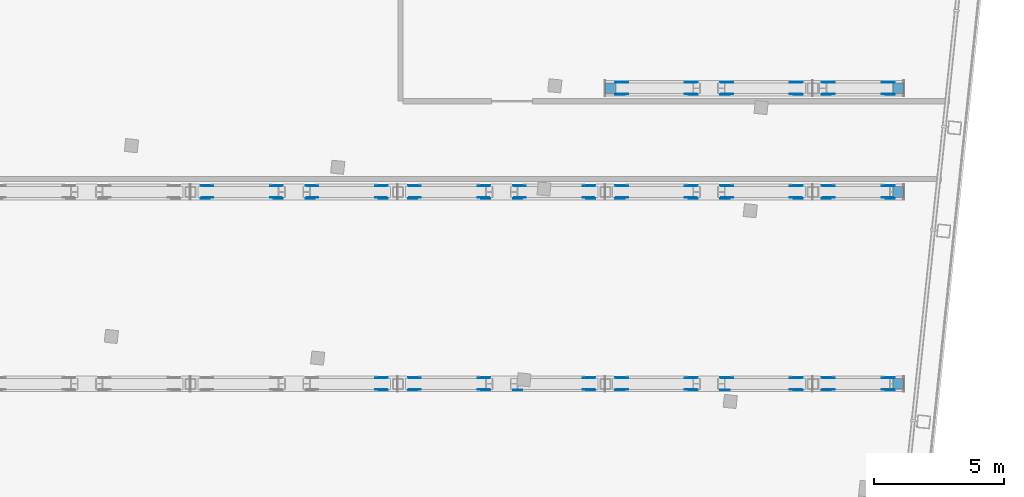
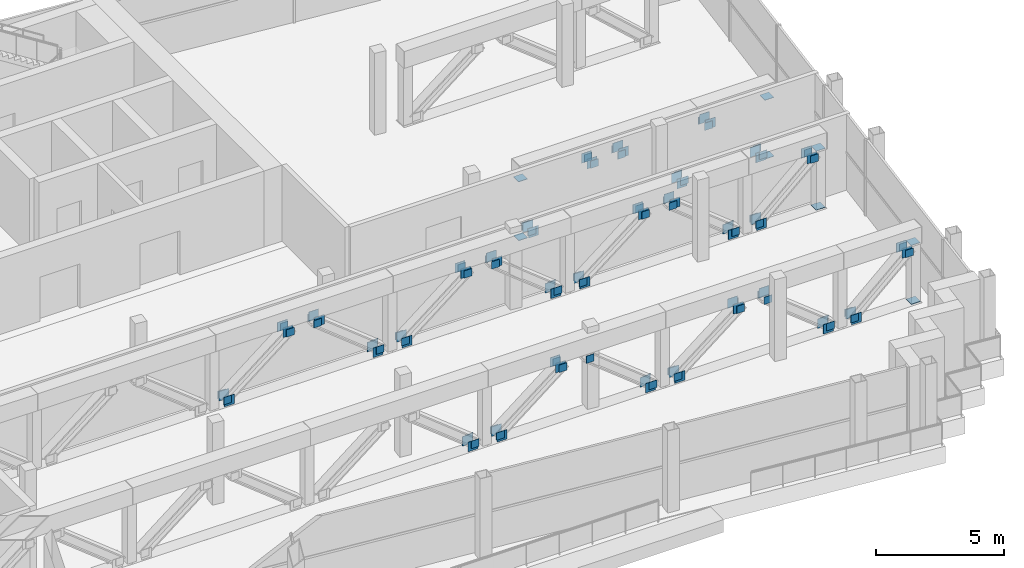
# One storey, part 12 of 18: 128 discrete accessories.
"""IFC4 building model written with IfcOpenShell, lengths in metres."""

from ifc_helpers import new_model, si_unit, direction, frame, origin, origin_2d, place, context, subcontext, project, spatial, rectangle, extrude, element, save


model = new_model("IFC4")

# Units and contexts
model_context = context("Model", 3, precision=1e-05, world=origin(), true_north=direction((0.0, 1.0)))
body_context = subcontext(model_context, "Body", "Model", "MODEL_VIEW")
ifc_project = project(units=[si_unit("LENGTHUNIT", "METRE"), si_unit("AREAUNIT", "SQUARE_METRE"), si_unit("VOLUMEUNIT", "CUBIC_METRE"), si_unit("PLANEANGLEUNIT", "RADIAN"), si_unit("MASSUNIT", "GRAM", prefix="KILO")], contexts=[model_context])

# Site, building, storey
site_placement = place(None, origin())
site = spatial("IfcSite", under=ifc_project, at=site_placement, CompositionType="ELEMENT")
building_placement = place(site_placement, origin())
building = spatial("IfcBuilding", under=site, at=building_placement, Name="Vidyagriha Tower", CompositionType="ELEMENT")
storey_placement = place(building_placement, frame((0.0, 0.0, 249.199951171875)))
storey = spatial("IfcBuildingStorey", under=building, at=storey_placement, Name="L64", CompositionType="ELEMENT", Elevation=249.199951171875)

# Discrete accessories
for number, where, name in (
    (1, (9.345947265625, -9.17822265625, 0.0), "Truss gusset plate ASTM A572 Grade 50 20mm"),
    (2, (9.345947265625, -9.621826171875, 0.0), "Truss gusset plate ASTM A572 Grade 50 20mm"),
    (3, (10.654052734375, -9.17822265625, 0.0), "Truss gusset plate ASTM A572 Grade 50 20mm"),
    (4, (10.654052734375, -9.621826171875, 0.0), "Truss gusset plate ASTM A572 Grade 50 20mm"),
    (5, (13.2958984375, -9.17822265625, 2.3701171875), "Truss gusset plate ASTM A572 Grade 50 20mm"),
    (6, (13.2958984375, -9.621826171875, 2.3701171875), "Truss gusset plate ASTM A572 Grade 50 20mm"),
    (7, (17.345947265625, -9.17822265625, 0.0), "Truss gusset plate ASTM A572 Grade 50 20mm"),
    (8, (17.345947265625, -9.621826171875, 0.0), "Truss gusset plate ASTM A572 Grade 50 20mm"),
    (9, (18.654052734375, -9.17822265625, 0.0), "Truss gusset plate ASTM A572 Grade 50 20mm"),
    (10, (18.654052734375, -9.621826171875, 0.0), "Truss gusset plate ASTM A572 Grade 50 20mm"),
    (11, (21.2958984375, -9.17822265625, 2.3701171875), "Truss gusset plate ASTM A572 Grade 50 20mm"),
    (12, (21.2958984375, -9.621826171875, 2.3701171875), "Truss gusset plate ASTM A572 Grade 50 20mm"),
    (13, (22.7041015625, -9.17822265625, 2.3701171875), "Truss gusset plate ASTM A572 Grade 50 20mm"),
    (14, (25.345947265625, -9.17822265625, 0.0), "Truss gusset plate ASTM A572 Grade 50 20mm"),
    (15, (25.345947265625, -9.621826171875, 0.0), "Truss gusset plate ASTM A572 Grade 50 20mm"),
    (16, (26.614013671875, -9.17822265625, 0.0), "Truss gusset plate ASTM A572 Grade 50 20mm"),
    (17, (26.614013671875, -9.621826171875, 0.0), "Truss gusset plate ASTM A572 Grade 50 20mm"),
    (18, (28.885986328125, -9.17822265625, 2.3701171875), "Truss gusset plate ASTM A572 Grade 50 20mm"),
    (19, (28.885986328125, -9.621826171875, 2.3701171875), "Truss gusset plate ASTM A572 Grade 50 20mm"),
    (20, (2.654052734375, -1.778076171875, 0.0), "Truss gusset plate ASTM A572 Grade 50 20mm"),
    (21, (2.654052734375, -2.221923828125, 0.0), "Truss gusset plate ASTM A572 Grade 50 20mm"),
    (22, (5.2958984375, -1.778076171875, 2.3701171875), "Truss gusset plate ASTM A572 Grade 50 20mm"),
    (23, (5.2958984375, -2.221923828125, 2.3701171875), "Truss gusset plate ASTM A572 Grade 50 20mm"),
    (24, (6.7041015625, -1.778076171875, 2.3701171875), "Truss gusset plate ASTM A572 Grade 50 20mm"),
    (25, (6.7041015625, -2.221923828125, 2.3701171875), "Truss gusset plate ASTM A572 Grade 50 20mm"),
    (26, (9.345947265625, -1.778076171875, 0.0), "Truss gusset plate ASTM A572 Grade 50 20mm"),
    (27, (9.345947265625, -2.221923828125, 0.0), "Truss gusset plate ASTM A572 Grade 50 20mm"),
    (28, (10.654052734375, -1.778076171875, 0.0), "Truss gusset plate ASTM A572 Grade 50 20mm"),
    (29, (10.654052734375, -2.221923828125, 0.0), "Truss gusset plate ASTM A572 Grade 50 20mm"),
    (30, (13.2958984375, -1.778076171875, 2.3701171875), "Truss gusset plate ASTM A572 Grade 50 20mm"),
    (31, (13.2958984375, -2.221923828125, 2.3701171875), "Truss gusset plate ASTM A572 Grade 50 20mm"),
    (32, (14.7041015625, -1.778076171875, 2.3701171875), "Truss gusset plate ASTM A572 Grade 50 20mm"),
    (33, (14.7041015625, -2.221923828125, 2.3701171875), "Truss gusset plate ASTM A572 Grade 50 20mm"),
    (34, (17.345947265625, -1.778076171875, 0.0), "Truss gusset plate ASTM A572 Grade 50 20mm"),
    (35, (17.345947265625, -2.221923828125, 0.0), "Truss gusset plate ASTM A572 Grade 50 20mm"),
    (36, (18.654052734375, -1.778076171875, 0.0), "Truss gusset plate ASTM A572 Grade 50 20mm"),
    (37, (18.654052734375, -2.221923828125, 0.0), "Truss gusset plate ASTM A572 Grade 50 20mm"),
    (38, (21.2958984375, -1.778076171875, 2.3701171875), "Truss gusset plate ASTM A572 Grade 50 20mm"),
    (39, (21.2958984375, -2.221923828125, 2.3701171875), "Truss gusset plate ASTM A572 Grade 50 20mm"),
    (40, (22.7041015625, -1.778076171875, 2.3701171875), "Truss gusset plate ASTM A572 Grade 50 20mm"),
    (41, (22.7041015625, -2.221923828125, 2.3701171875), "Truss gusset plate ASTM A572 Grade 50 20mm"),
    (42, (25.345947265625, -1.778076171875, 0.0), "Truss gusset plate ASTM A572 Grade 50 20mm"),
    (43, (25.345947265625, -2.221923828125, 0.0), "Truss gusset plate ASTM A572 Grade 50 20mm"),
    (44, (26.614013671875, -1.778076171875, 0.0), "Truss gusset plate ASTM A572 Grade 50 20mm"),
    (45, (26.614013671875, -2.221923828125, 0.0), "Truss gusset plate ASTM A572 Grade 50 20mm"),
    (46, (28.885986328125, -1.778076171875, 2.3701171875), "Truss gusset plate ASTM A572 Grade 50 20mm"),
    (47, (28.885986328125, -2.221923828125, 2.3701171875), "Truss gusset plate ASTM A572 Grade 50 20mm"),
    (48, (18.654052734375, 2.221923828125, 0.0), "Truss gusset plate ASTM A572 Grade 50 20mm"),
    (49, (18.654052734375, 1.778076171875, 0.0), "Truss gusset plate ASTM A572 Grade 50 20mm"),
    (50, (21.2958984375, 2.221923828125, 2.3701171875), "Truss gusset plate ASTM A572 Grade 50 20mm"),
    (51, (21.2958984375, 1.778076171875, 2.3701171875), "Truss gusset plate ASTM A572 Grade 50 20mm"),
    (52, (22.7041015625, 2.221923828125, 2.3701171875), "Truss gusset plate ASTM A572 Grade 50 20mm"),
    (53, (22.7041015625, 1.778076171875, 2.3701171875), "Truss gusset plate ASTM A572 Grade 50 20mm"),
    (54, (25.345947265625, 2.221923828125, 0.0), "Truss gusset plate ASTM A572 Grade 50 20mm"),
    (55, (25.345947265625, 1.778076171875, 0.0), "Truss gusset plate ASTM A572 Grade 50 20mm"),
    (56, (26.614013671875, 2.221923828125, 2.3701171875), "Truss gusset plate ASTM A572 Grade 50 20mm"),
    (57, (26.614013671875, 1.778076171875, 2.3701171875), "Truss gusset plate ASTM A572 Grade 50 20mm"),
    (58, (28.885986328125, 2.221923828125, 0.0), "Truss gusset plate ASTM A572 Grade 50 20mm"),
    (59, (28.885986328125, 1.778076171875, 0.0), "Truss gusset plate ASTM A572 Grade 50 20mm"),
):
    element("IfcDiscreteAccessory", number, at=place(storey_placement, frame(where)), inside=storey, Name=name, ObjectType="GUSSET PLATE", PredefinedType="USERDEFINED", context=body_context, shape_type="SweptSolid", body=[
        extrude(rectangle(XDim=0.449951171875, YDim=0.02001953125, at=origin_2d()), origin(), (0.0, 0.0, 1.0), 0.449951171875),
    ])
for number, where, name in (
    (60, (9.433837890625, -9.15771484375, 0.11572265625), "End plate ASTM A572 Grade 50 20mm"),
    (61, (9.433837890625, -9.642333984375, 0.11572265625), "End plate ASTM A572 Grade 50 20mm"),
):
    element("IfcDiscreteAccessory", number, at=place(storey_placement, frame(where)), inside=storey, Name=name, ObjectType="END PLATE", PredefinedType="USERDEFINED", context=body_context, shape_type="SweptSolid", body=[
        extrude(rectangle(XDim=0.35009765625, YDim=0.02001953125, at=origin_2d()), origin(), (0.0, 0.0, 1.0), 0.35009765625),
    ])
for number, where, z_axis, x_axis, name in (
    (62, (10.566162109375, -9.642333984375, 0.11572265625), (0.0, 0.0, 1.0), (-1.0, 0.0, 0.0), "End plate ASTM A572 Grade 50 20mm"),
    (63, (10.566162109375, -9.15771484375, 0.11572265625), (0.0, 0.0, 1.0), (-1.0, 0.0, 0.0), "End plate ASTM A572 Grade 50 20mm"),
):
    element("IfcDiscreteAccessory", number, at=place(storey_placement, frame(where, z_axis=z_axis, x_axis=x_axis)), inside=storey, Name=name, ObjectType="END PLATE", PredefinedType="USERDEFINED", context=body_context, shape_type="SweptSolid", body=[
        extrude(rectangle(XDim=0.35009765625, YDim=0.02001953125, at=origin_2d()), origin(), (0.0, 0.0, 1.0), 0.35009765625),
    ])
for number, where, name in (
    (64, (13.3837890625, -9.15771484375, 2.354248046875), "End plate ASTM A572 Grade 50 20mm"),
    (65, (13.3837890625, -9.642333984375, 2.354248046875), "End plate ASTM A572 Grade 50 20mm"),
):
    element("IfcDiscreteAccessory", number, at=place(storey_placement, frame(where)), inside=storey, Name=name, ObjectType="END PLATE", PredefinedType="USERDEFINED", context=body_context, shape_type="SweptSolid", body=[
        extrude(rectangle(XDim=0.35009765625, YDim=0.02001953125, at=origin_2d()), origin(), (0.0, 0.0, 1.0), 0.35009765625),
    ])
discrete_accessory_placement = place(storey_placement, frame((14.6162109375, -9.642333984375, 2.354248046875), z_axis=(0.0, 0.0, 1.0), x_axis=(-1.0, 0.0, 0.0)))
element("IfcDiscreteAccessory", 66, at=discrete_accessory_placement, inside=storey, Name="End plate ASTM A572 Grade 50 20mm", ObjectType="END PLATE", PredefinedType="USERDEFINED", context=body_context, shape_type="SweptSolid", body=[
    extrude(rectangle(XDim=0.35009765625, YDim=0.02001953125, at=origin_2d()), origin(), (0.0, 0.0, 1.0), 0.35009765625),
])
for number, where, name in (
    (67, (17.433837890625, -9.15771484375, 0.11572265625), "End plate ASTM A572 Grade 50 20mm"),
    (68, (17.433837890625, -9.642333984375, 0.11572265625), "End plate ASTM A572 Grade 50 20mm"),
):
    element("IfcDiscreteAccessory", number, at=place(storey_placement, frame(where)), inside=storey, Name=name, ObjectType="END PLATE", PredefinedType="USERDEFINED", context=body_context, shape_type="SweptSolid", body=[
        extrude(rectangle(XDim=0.35009765625, YDim=0.02001953125, at=origin_2d()), origin(), (0.0, 0.0, 1.0), 0.35009765625),
    ])
for number, where, z_axis, x_axis, name in (
    (69, (18.566162109375, -9.642333984375, 0.11572265625), (0.0, 0.0, 1.0), (-1.0, 0.0, 0.0), "End plate ASTM A572 Grade 50 20mm"),
    (70, (18.566162109375, -9.15771484375, 0.11572265625), (0.0, 0.0, 1.0), (-1.0, 0.0, 0.0), "End plate ASTM A572 Grade 50 20mm"),
):
    element("IfcDiscreteAccessory", number, at=place(storey_placement, frame(where, z_axis=z_axis, x_axis=x_axis)), inside=storey, Name=name, ObjectType="END PLATE", PredefinedType="USERDEFINED", context=body_context, shape_type="SweptSolid", body=[
        extrude(rectangle(XDim=0.35009765625, YDim=0.02001953125, at=origin_2d()), origin(), (0.0, 0.0, 1.0), 0.35009765625),
    ])
for number, where, name in (
    (71, (21.3837890625, -9.15771484375, 2.354248046875), "End plate ASTM A572 Grade 50 20mm"),
    (72, (21.3837890625, -9.642333984375, 2.354248046875), "End plate ASTM A572 Grade 50 20mm"),
):
    element("IfcDiscreteAccessory", number, at=place(storey_placement, frame(where)), inside=storey, Name=name, ObjectType="END PLATE", PredefinedType="USERDEFINED", context=body_context, shape_type="SweptSolid", body=[
        extrude(rectangle(XDim=0.35009765625, YDim=0.02001953125, at=origin_2d()), origin(), (0.0, 0.0, 1.0), 0.35009765625),
    ])
for number, where, z_axis, x_axis, name in (
    (73, (22.6162109375, -9.642333984375, 2.354248046875), (0.0, 0.0, 1.0), (-1.0, 0.0, 0.0), "End plate ASTM A572 Grade 50 20mm"),
    (74, (22.6162109375, -9.15771484375, 2.354248046875), (0.0, 0.0, 1.0), (-1.0, 0.0, 0.0), "End plate ASTM A572 Grade 50 20mm"),
):
    element("IfcDiscreteAccessory", number, at=place(storey_placement, frame(where, z_axis=z_axis, x_axis=x_axis)), inside=storey, Name=name, ObjectType="END PLATE", PredefinedType="USERDEFINED", context=body_context, shape_type="SweptSolid", body=[
        extrude(rectangle(XDim=0.35009765625, YDim=0.02001953125, at=origin_2d()), origin(), (0.0, 0.0, 1.0), 0.35009765625),
    ])
for number, where, name in (
    (75, (25.433837890625, -9.15771484375, 0.11572265625), "End plate ASTM A572 Grade 50 20mm"),
    (76, (25.433837890625, -9.642333984375, 0.11572265625), "End plate ASTM A572 Grade 50 20mm"),
):
    element("IfcDiscreteAccessory", number, at=place(storey_placement, frame(where)), inside=storey, Name=name, ObjectType="END PLATE", PredefinedType="USERDEFINED", context=body_context, shape_type="SweptSolid", body=[
        extrude(rectangle(XDim=0.35009765625, YDim=0.02001953125, at=origin_2d()), origin(), (0.0, 0.0, 1.0), 0.35009765625),
    ])
for number, where, z_axis, x_axis, name in (
    (77, (26.5185546875, -9.642333984375, 0.11474609375), (0.0, 0.0, 1.0), (-1.0, 0.0, 0.0), "End plate ASTM A572 Grade 50 20mm"),
    (78, (26.5185546875, -9.15771484375, 0.11474609375), (0.0, 0.0, 1.0), (-1.0, 0.0, 0.0), "End plate ASTM A572 Grade 50 20mm"),
):
    element("IfcDiscreteAccessory", number, at=place(storey_placement, frame(where, z_axis=z_axis, x_axis=x_axis)), inside=storey, Name=name, ObjectType="END PLATE", PredefinedType="USERDEFINED", context=body_context, shape_type="SweptSolid", body=[
        extrude(rectangle(XDim=0.35009765625, YDim=0.02001953125, at=origin_2d()), origin(), (0.0, 0.0, 1.0), 0.35009765625),
    ])
for number, where, name in (
    (79, (28.9814453125, -9.15771484375, 2.355224609375), "End plate ASTM A572 Grade 50 20mm"),
    (80, (28.9814453125, -9.642333984375, 2.355224609375), "End plate ASTM A572 Grade 50 20mm"),
):
    element("IfcDiscreteAccessory", number, at=place(storey_placement, frame(where)), inside=storey, Name=name, ObjectType="END PLATE", PredefinedType="USERDEFINED", context=body_context, shape_type="SweptSolid", body=[
        extrude(rectangle(XDim=0.35009765625, YDim=0.02001953125, at=origin_2d()), origin(), (0.0, 0.0, 1.0), 0.35009765625),
    ])
for number, where, name in (
    (81, (29.296875, -9.39990234375, -0.000244140625), "End plate ASTM A572 Grade 50 20mm"),
    (82, (29.296875, -9.39990234375, 2.80029296875), "End plate ASTM A572 Grade 50 20mm"),
):
    element("IfcDiscreteAccessory", number, at=place(storey_placement, frame(where)), inside=storey, Name=name, ObjectType="END PLATE", PredefinedType="USERDEFINED", context=body_context, shape_type="SweptSolid", body=[
        extrude(rectangle(XDim=0.406494140625, YDim=0.406494140625, at=origin_2d()), origin(), (0.0, 0.0, 1.0), 0.02001953125),
    ])
for number, where, z_axis, x_axis, name in (
    (83, (2.566162109375, -2.242431640625, 0.11572265625), (0.0, 0.0, 1.0), (-1.0, 0.0, 0.0), "End plate ASTM A572 Grade 50 20mm"),
    (84, (2.566162109375, -1.757568359375, 0.11572265625), (0.0, 0.0, 1.0), (-1.0, 0.0, 0.0), "End plate ASTM A572 Grade 50 20mm"),
):
    element("IfcDiscreteAccessory", number, at=place(storey_placement, frame(where, z_axis=z_axis, x_axis=x_axis)), inside=storey, Name=name, ObjectType="END PLATE", PredefinedType="USERDEFINED", context=body_context, shape_type="SweptSolid", body=[
        extrude(rectangle(XDim=0.35009765625, YDim=0.02001953125, at=origin_2d()), origin(), (0.0, 0.0, 1.0), 0.35009765625),
    ])
for number, where, name in (
    (85, (5.3837890625, -1.757568359375, 2.354248046875), "End plate ASTM A572 Grade 50 20mm"),
    (86, (5.3837890625, -2.242431640625, 2.354248046875), "End plate ASTM A572 Grade 50 20mm"),
):
    element("IfcDiscreteAccessory", number, at=place(storey_placement, frame(where)), inside=storey, Name=name, ObjectType="END PLATE", PredefinedType="USERDEFINED", context=body_context, shape_type="SweptSolid", body=[
        extrude(rectangle(XDim=0.35009765625, YDim=0.02001953125, at=origin_2d()), origin(), (0.0, 0.0, 1.0), 0.35009765625),
    ])
for number, where, z_axis, x_axis, name in (
    (87, (6.6162109375, -2.242431640625, 2.354248046875), (0.0, 0.0, 1.0), (-1.0, 0.0, 0.0), "End plate ASTM A572 Grade 50 20mm"),
    (88, (6.6162109375, -1.757568359375, 2.354248046875), (0.0, 0.0, 1.0), (-1.0, 0.0, 0.0), "End plate ASTM A572 Grade 50 20mm"),
):
    element("IfcDiscreteAccessory", number, at=place(storey_placement, frame(where, z_axis=z_axis, x_axis=x_axis)), inside=storey, Name=name, ObjectType="END PLATE", PredefinedType="USERDEFINED", context=body_context, shape_type="SweptSolid", body=[
        extrude(rectangle(XDim=0.35009765625, YDim=0.02001953125, at=origin_2d()), origin(), (0.0, 0.0, 1.0), 0.35009765625),
    ])
for number, where, name in (
    (89, (9.433837890625, -1.757568359375, 0.11572265625), "End plate ASTM A572 Grade 50 20mm"),
    (90, (9.433837890625, -2.242431640625, 0.11572265625), "End plate ASTM A572 Grade 50 20mm"),
):
    element("IfcDiscreteAccessory", number, at=place(storey_placement, frame(where)), inside=storey, Name=name, ObjectType="END PLATE", PredefinedType="USERDEFINED", context=body_context, shape_type="SweptSolid", body=[
        extrude(rectangle(XDim=0.35009765625, YDim=0.02001953125, at=origin_2d()), origin(), (0.0, 0.0, 1.0), 0.35009765625),
    ])
for number, where, z_axis, x_axis, name in (
    (91, (10.566162109375, -2.242431640625, 0.11572265625), (0.0, 0.0, 1.0), (-1.0, 0.0, 0.0), "End plate ASTM A572 Grade 50 20mm"),
    (92, (10.566162109375, -1.757568359375, 0.11572265625), (0.0, 0.0, 1.0), (-1.0, 0.0, 0.0), "End plate ASTM A572 Grade 50 20mm"),
):
    element("IfcDiscreteAccessory", number, at=place(storey_placement, frame(where, z_axis=z_axis, x_axis=x_axis)), inside=storey, Name=name, ObjectType="END PLATE", PredefinedType="USERDEFINED", context=body_context, shape_type="SweptSolid", body=[
        extrude(rectangle(XDim=0.35009765625, YDim=0.02001953125, at=origin_2d()), origin(), (0.0, 0.0, 1.0), 0.35009765625),
    ])
for number, where, name in (
    (93, (13.3837890625, -1.757568359375, 2.354248046875), "End plate ASTM A572 Grade 50 20mm"),
    (94, (13.3837890625, -2.242431640625, 2.354248046875), "End plate ASTM A572 Grade 50 20mm"),
):
    element("IfcDiscreteAccessory", number, at=place(storey_placement, frame(where)), inside=storey, Name=name, ObjectType="END PLATE", PredefinedType="USERDEFINED", context=body_context, shape_type="SweptSolid", body=[
        extrude(rectangle(XDim=0.35009765625, YDim=0.02001953125, at=origin_2d()), origin(), (0.0, 0.0, 1.0), 0.35009765625),
    ])
for number, where, z_axis, x_axis, name in (
    (95, (14.6162109375, -2.242431640625, 2.354248046875), (0.0, 0.0, 1.0), (-1.0, 0.0, 0.0), "End plate ASTM A572 Grade 50 20mm"),
    (96, (14.6162109375, -1.757568359375, 2.354248046875), (0.0, 0.0, 1.0), (-1.0, 0.0, 0.0), "End plate ASTM A572 Grade 50 20mm"),
):
    element("IfcDiscreteAccessory", number, at=place(storey_placement, frame(where, z_axis=z_axis, x_axis=x_axis)), inside=storey, Name=name, ObjectType="END PLATE", PredefinedType="USERDEFINED", context=body_context, shape_type="SweptSolid", body=[
        extrude(rectangle(XDim=0.35009765625, YDim=0.02001953125, at=origin_2d()), origin(), (0.0, 0.0, 1.0), 0.35009765625),
    ])
for number, where, name in (
    (97, (17.433837890625, -1.757568359375, 0.11572265625), "End plate ASTM A572 Grade 50 20mm"),
    (98, (17.433837890625, -2.242431640625, 0.11572265625), "End plate ASTM A572 Grade 50 20mm"),
):
    element("IfcDiscreteAccessory", number, at=place(storey_placement, frame(where)), inside=storey, Name=name, ObjectType="END PLATE", PredefinedType="USERDEFINED", context=body_context, shape_type="SweptSolid", body=[
        extrude(rectangle(XDim=0.35009765625, YDim=0.02001953125, at=origin_2d()), origin(), (0.0, 0.0, 1.0), 0.35009765625),
    ])
for number, where, z_axis, x_axis, name in (
    (99, (18.566162109375, -2.242431640625, 0.11572265625), (0.0, 0.0, 1.0), (-1.0, 0.0, 0.0), "End plate ASTM A572 Grade 50 20mm"),
    (100, (18.566162109375, -1.757568359375, 0.11572265625), (0.0, 0.0, 1.0), (-1.0, 0.0, 0.0), "End plate ASTM A572 Grade 50 20mm"),
):
    element("IfcDiscreteAccessory", number, at=place(storey_placement, frame(where, z_axis=z_axis, x_axis=x_axis)), inside=storey, Name=name, ObjectType="END PLATE", PredefinedType="USERDEFINED", context=body_context, shape_type="SweptSolid", body=[
        extrude(rectangle(XDim=0.35009765625, YDim=0.02001953125, at=origin_2d()), origin(), (0.0, 0.0, 1.0), 0.35009765625),
    ])
for number, where, name in (
    (101, (21.3837890625, -1.757568359375, 2.354248046875), "End plate ASTM A572 Grade 50 20mm"),
    (102, (21.3837890625, -2.242431640625, 2.354248046875), "End plate ASTM A572 Grade 50 20mm"),
):
    element("IfcDiscreteAccessory", number, at=place(storey_placement, frame(where)), inside=storey, Name=name, ObjectType="END PLATE", PredefinedType="USERDEFINED", context=body_context, shape_type="SweptSolid", body=[
        extrude(rectangle(XDim=0.35009765625, YDim=0.02001953125, at=origin_2d()), origin(), (0.0, 0.0, 1.0), 0.35009765625),
    ])
for number, where, z_axis, x_axis, name in (
    (103, (22.6162109375, -2.242431640625, 2.354248046875), (0.0, 0.0, 1.0), (-1.0, 0.0, 0.0), "End plate ASTM A572 Grade 50 20mm"),
    (104, (22.6162109375, -1.757568359375, 2.354248046875), (0.0, 0.0, 1.0), (-1.0, 0.0, 0.0), "End plate ASTM A572 Grade 50 20mm"),
):
    element("IfcDiscreteAccessory", number, at=place(storey_placement, frame(where, z_axis=z_axis, x_axis=x_axis)), inside=storey, Name=name, ObjectType="END PLATE", PredefinedType="USERDEFINED", context=body_context, shape_type="SweptSolid", body=[
        extrude(rectangle(XDim=0.35009765625, YDim=0.02001953125, at=origin_2d()), origin(), (0.0, 0.0, 1.0), 0.35009765625),
    ])
for number, where, name in (
    (105, (25.433837890625, -1.757568359375, 0.11572265625), "End plate ASTM A572 Grade 50 20mm"),
    (106, (25.433837890625, -2.242431640625, 0.11572265625), "End plate ASTM A572 Grade 50 20mm"),
):
    element("IfcDiscreteAccessory", number, at=place(storey_placement, frame(where)), inside=storey, Name=name, ObjectType="END PLATE", PredefinedType="USERDEFINED", context=body_context, shape_type="SweptSolid", body=[
        extrude(rectangle(XDim=0.35009765625, YDim=0.02001953125, at=origin_2d()), origin(), (0.0, 0.0, 1.0), 0.35009765625),
    ])
for number, where, z_axis, x_axis, name in (
    (107, (26.5185546875, -2.242431640625, 0.11474609375), (0.0, 0.0, 1.0), (-1.0, 0.0, 0.0), "End plate ASTM A572 Grade 50 20mm"),
    (108, (26.5185546875, -1.757568359375, 0.11474609375), (0.0, 0.0, 1.0), (-1.0, 0.0, 0.0), "End plate ASTM A572 Grade 50 20mm"),
):
    element("IfcDiscreteAccessory", number, at=place(storey_placement, frame(where, z_axis=z_axis, x_axis=x_axis)), inside=storey, Name=name, ObjectType="END PLATE", PredefinedType="USERDEFINED", context=body_context, shape_type="SweptSolid", body=[
        extrude(rectangle(XDim=0.35009765625, YDim=0.02001953125, at=origin_2d()), origin(), (0.0, 0.0, 1.0), 0.35009765625),
    ])
for number, where, name in (
    (109, (28.9814453125, -1.757568359375, 2.355224609375), "End plate ASTM A572 Grade 50 20mm"),
    (110, (28.9814453125, -2.242431640625, 2.355224609375), "End plate ASTM A572 Grade 50 20mm"),
):
    element("IfcDiscreteAccessory", number, at=place(storey_placement, frame(where)), inside=storey, Name=name, ObjectType="END PLATE", PredefinedType="USERDEFINED", context=body_context, shape_type="SweptSolid", body=[
        extrude(rectangle(XDim=0.35009765625, YDim=0.02001953125, at=origin_2d()), origin(), (0.0, 0.0, 1.0), 0.35009765625),
    ])
for number, where, name in (
    (111, (29.296875, -2.0, -0.000244140625), "End plate ASTM A572 Grade 50 20mm"),
    (112, (29.296875, -2.0, 2.80029296875), "End plate ASTM A572 Grade 50 20mm"),
):
    element("IfcDiscreteAccessory", number, at=place(storey_placement, frame(where)), inside=storey, Name=name, ObjectType="END PLATE", PredefinedType="USERDEFINED", context=body_context, shape_type="SweptSolid", body=[
        extrude(rectangle(XDim=0.406494140625, YDim=0.406494140625, at=origin_2d()), origin(), (0.0, 0.0, 1.0), 0.02001953125),
    ])
for number, where, z_axis, x_axis, name in (
    (113, (18.566162109375, 1.757568359375, 0.11572265625), (0.0, 0.0, 1.0), (-1.0, 0.0, 0.0), "End plate ASTM A572 Grade 50 20mm"),
    (114, (18.566162109375, 2.242431640625, 0.11572265625), (0.0, 0.0, 1.0), (-1.0, 0.0, 0.0), "End plate ASTM A572 Grade 50 20mm"),
):
    element("IfcDiscreteAccessory", number, at=place(storey_placement, frame(where, z_axis=z_axis, x_axis=x_axis)), inside=storey, Name=name, ObjectType="END PLATE", PredefinedType="USERDEFINED", context=body_context, shape_type="SweptSolid", body=[
        extrude(rectangle(XDim=0.35009765625, YDim=0.02001953125, at=origin_2d()), origin(), (0.0, 0.0, 1.0), 0.35009765625),
    ])
for number, where, name in (
    (115, (21.3837890625, 2.242431640625, 2.354248046875), "End plate ASTM A572 Grade 50 20mm"),
    (116, (21.3837890625, 1.757568359375, 2.354248046875), "End plate ASTM A572 Grade 50 20mm"),
):
    element("IfcDiscreteAccessory", number, at=place(storey_placement, frame(where)), inside=storey, Name=name, ObjectType="END PLATE", PredefinedType="USERDEFINED", context=body_context, shape_type="SweptSolid", body=[
        extrude(rectangle(XDim=0.35009765625, YDim=0.02001953125, at=origin_2d()), origin(), (0.0, 0.0, 1.0), 0.35009765625),
    ])
for number, where, z_axis, x_axis, name in (
    (117, (22.6162109375, 1.757568359375, 2.354248046875), (0.0, 0.0, 1.0), (-1.0, 0.0, 0.0), "End plate ASTM A572 Grade 50 20mm"),
    (118, (22.6162109375, 2.242431640625, 2.354248046875), (0.0, 0.0, 1.0), (-1.0, 0.0, 0.0), "End plate ASTM A572 Grade 50 20mm"),
):
    element("IfcDiscreteAccessory", number, at=place(storey_placement, frame(where, z_axis=z_axis, x_axis=x_axis)), inside=storey, Name=name, ObjectType="END PLATE", PredefinedType="USERDEFINED", context=body_context, shape_type="SweptSolid", body=[
        extrude(rectangle(XDim=0.35009765625, YDim=0.02001953125, at=origin_2d()), origin(), (0.0, 0.0, 1.0), 0.35009765625),
    ])
for number, where, name in (
    (119, (25.433837890625, 2.242431640625, 0.11572265625), "End plate ASTM A572 Grade 50 20mm"),
    (120, (25.433837890625, 1.757568359375, 0.11572265625), "End plate ASTM A572 Grade 50 20mm"),
):
    element("IfcDiscreteAccessory", number, at=place(storey_placement, frame(where)), inside=storey, Name=name, ObjectType="END PLATE", PredefinedType="USERDEFINED", context=body_context, shape_type="SweptSolid", body=[
        extrude(rectangle(XDim=0.35009765625, YDim=0.02001953125, at=origin_2d()), origin(), (0.0, 0.0, 1.0), 0.35009765625),
    ])
for number, where, z_axis, x_axis, name in (
    (121, (26.5185546875, 1.757568359375, 2.355224609375), (0.0, 0.0, 1.0), (-1.0, 0.0, 0.0), "End plate ASTM A572 Grade 50 20mm"),
    (122, (26.5185546875, 2.242431640625, 2.355224609375), (0.0, 0.0, 1.0), (-1.0, 0.0, 0.0), "End plate ASTM A572 Grade 50 20mm"),
):
    element("IfcDiscreteAccessory", number, at=place(storey_placement, frame(where, z_axis=z_axis, x_axis=x_axis)), inside=storey, Name=name, ObjectType="END PLATE", PredefinedType="USERDEFINED", context=body_context, shape_type="SweptSolid", body=[
        extrude(rectangle(XDim=0.35009765625, YDim=0.02001953125, at=origin_2d()), origin(), (0.0, 0.0, 1.0), 0.35009765625),
    ])
for number, where, name in (
    (123, (28.9814453125, 2.242431640625, 0.11474609375), "End plate ASTM A572 Grade 50 20mm"),
    (124, (28.9814453125, 1.757568359375, 0.11474609375), "End plate ASTM A572 Grade 50 20mm"),
):
    element("IfcDiscreteAccessory", number, at=place(storey_placement, frame(where)), inside=storey, Name=name, ObjectType="END PLATE", PredefinedType="USERDEFINED", context=body_context, shape_type="SweptSolid", body=[
        extrude(rectangle(XDim=0.35009765625, YDim=0.02001953125, at=origin_2d()), origin(), (0.0, 0.0, 1.0), 0.35009765625),
    ])
for number, where, name in (
    (125, (18.203125, 2.0, -0.000244140625), "End plate ASTM A572 Grade 50 20mm"),
    (126, (18.203125, 2.0, 2.80029296875), "End plate ASTM A572 Grade 50 20mm"),
    (127, (29.296875, 2.0, -0.000244140625), "End plate ASTM A572 Grade 50 20mm"),
    (128, (29.296875, 2.0, 2.80029296875), "End plate ASTM A572 Grade 50 20mm"),
):
    element("IfcDiscreteAccessory", number, at=place(storey_placement, frame(where)), inside=storey, Name=name, ObjectType="END PLATE", PredefinedType="USERDEFINED", context=body_context, shape_type="SweptSolid", body=[
        extrude(rectangle(XDim=0.406494140625, YDim=0.406494140625, at=origin_2d()), origin(), (0.0, 0.0, 1.0), 0.02001953125),
    ])

save(model, "model.ifc")
